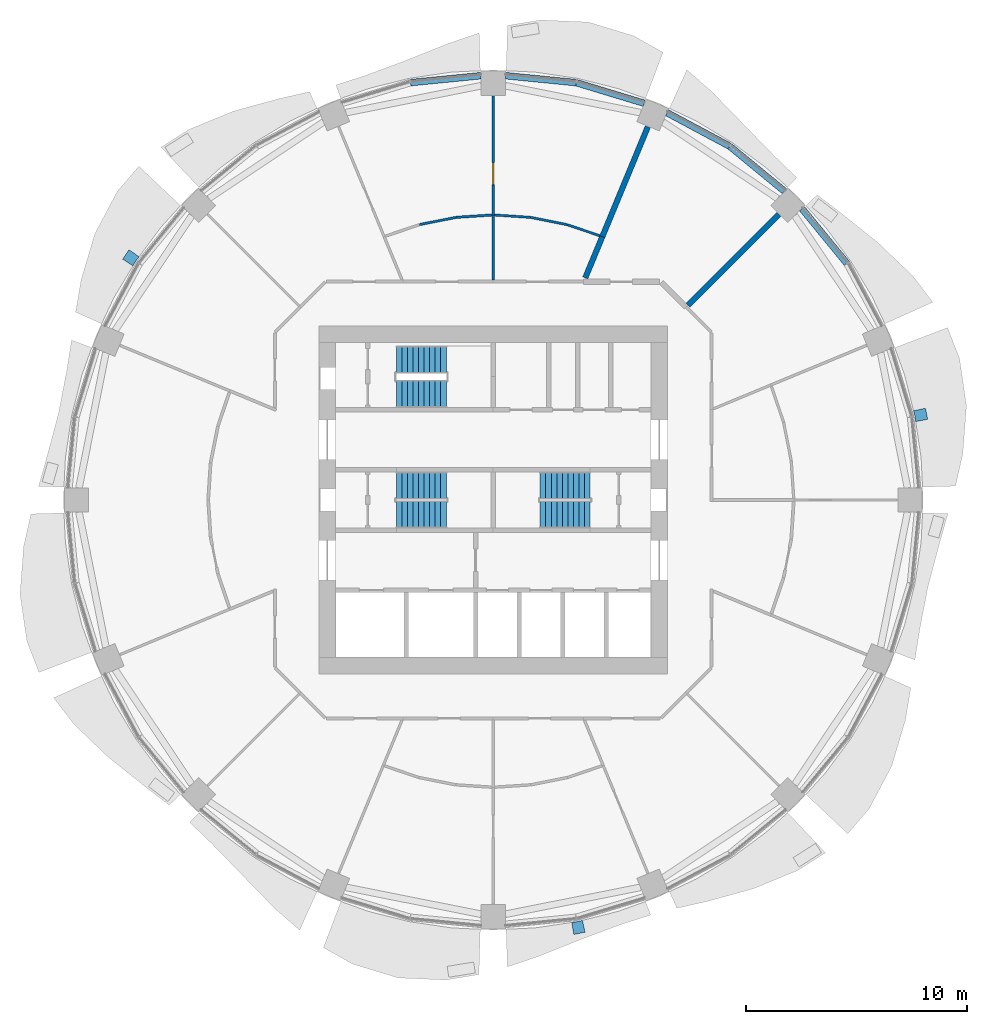
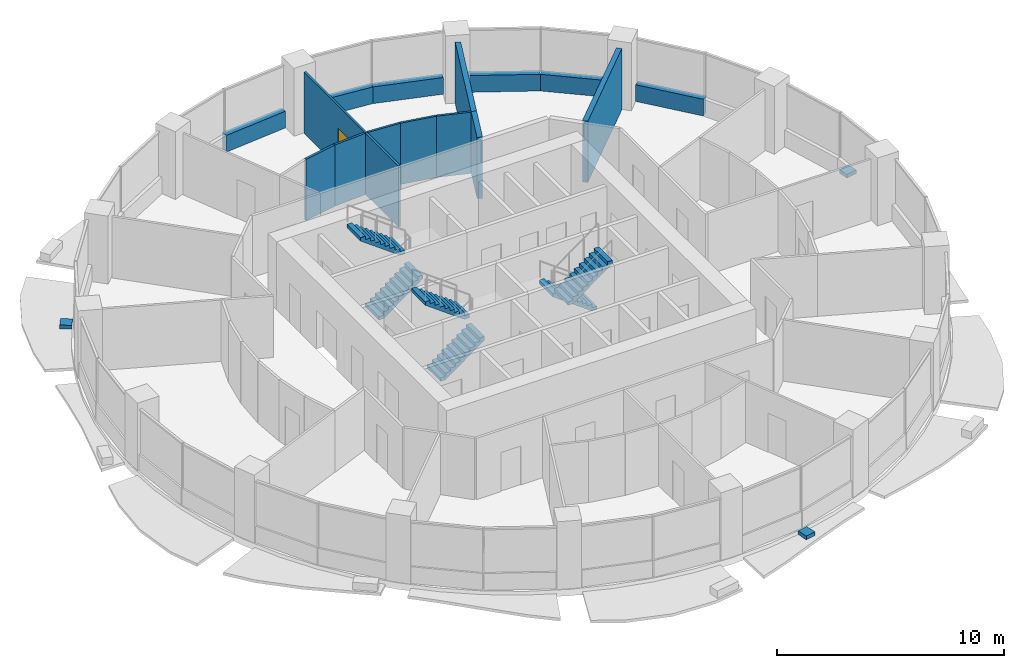
# One storey, part 11 of 15: 16 walls, 6 stair flights, 3 discrete accessories, 1 door, 1 opening, 3 elements without a shape of their own.
"""IFC4 building model written with IfcOpenShell, lengths in metres."""

from ifc_helpers import new_model, si_unit, direction, frame, frame_2d, origin, place, context, subcontext, project, spatial, polyline, rectangle, outline, extrude, material, layer, layer_set, type_object, element, fill, aggregate, save


model = new_model("IFC4")

# Units and contexts
model_context = context("Model", 3, precision=1e-05, world=origin(), true_north=direction((0.0, 1.0)))
body_context = subcontext(model_context, "Body", "Model", "MODEL_VIEW")
ifc_project = project(units=[si_unit("LENGTHUNIT", "METRE"), si_unit("AREAUNIT", "SQUARE_METRE"), si_unit("VOLUMEUNIT", "CUBIC_METRE"), si_unit("PLANEANGLEUNIT", "RADIAN"), si_unit("MASSUNIT", "GRAM", prefix="KILO")], contexts=[model_context])

# Site, building, storey
site_placement = place(None, origin())
site = spatial("IfcSite", under=ifc_project, at=site_placement, CompositionType="ELEMENT")
building_placement = place(site_placement, origin())
building = spatial("IfcBuilding", under=site, at=building_placement, Name="Polderwave Tower", CompositionType="ELEMENT")
storey_placement = place(building_placement, frame((0.0, 0.0, 80.050048828125)))
storey = spatial("IfcBuildingStorey", under=building, at=storey_placement, Name="L20", CompositionType="ELEMENT", Elevation=80.050048828125)

# Walls
ifc_material_1 = material(Name="Concrete C50/60 (board-marked)", Category="concrete")
ifc_layer_1 = layer(ifc_material_1, 0.300048828125)
ifc_layer_set_1 = layer_set([ifc_layer_1], Name="Concrete spandrel upstand C50/60")
wall_type_1 = type_object("IfcWallType", Name="Concrete spandrel upstand C50/60", PredefinedType="SOLIDWALL", material=ifc_layer_set_1)
for number, where, z_axis, x_axis, name in (
    (1, (15.987548828125, 10.70068359375, 0.0), (0.0, 0.0, 1.0), (-0.63411253447, 0.773240773387, 0.0), "Spandrel L20 2b"),
    (2, (13.16748046875, 13.964599609375, 0.0), (0.0, 0.0, 1.0), (-0.773240773387, 0.63411253447, 0.0), "Spandrel L20 3a"),
    (3, (10.67578125, 16.004150390625, 0.0), (0.0, 0.0, 1.0), (-0.8819437364, 0.471354692163, 0.0), "Spandrel L20 3b"),
):
    element("IfcWall", number, at=place(storey_placement, frame(where, z_axis=z_axis, x_axis=x_axis)), inside=storey, type_object=wall_type_1, Name=name, PredefinedType="SOLIDWALL", context=body_context, shape_type="SweptSolid", body=[
        extrude(rectangle(XDim=3.190185546875, YDim=0.300048828125, at=frame_2d((1.59521484375, 0.0))), origin(), (0.0, 0.0, 1.0), 0.89990234375),
    ])
wall_1_placement = place(storey_placement, frame((6.820556640625, 17.939453125, 0.0), z_axis=(0.0, 0.0, 1.0), x_axis=(-0.956954228099, 0.290238876314, 0.0)))
element("IfcWall", 4, at=wall_1_placement, inside=storey, type_object=wall_type_1, Name="Spandrel L20 4a", PredefinedType="SOLIDWALL", context=body_context, shape_type="SweptSolid", body=[
    extrude(rectangle(XDim=3.190673828125, YDim=0.300048828125, at=frame_2d((1.59521484375, 0.0))), origin(), (0.0, 0.0, 1.0), 0.89990234375),
])
for number, where, z_axis, x_axis, name in (
    (5, (3.738037109375, 18.87158203125, 0.0), (0.0, 0.0, 1.0), (-0.995173420989, 0.098131861065, 0.0), "Spandrel L20 4b"),
    (6, (-0.56396484375, 19.1845703125, 0.0), (0.0, 0.0, 1.0), (-0.995173420989, -0.098131861065, 0.0), "Spandrel L20 5a"),
):
    element("IfcWall", number, at=place(storey_placement, frame(where, z_axis=z_axis, x_axis=x_axis)), inside=storey, type_object=wall_type_1, Name=name, PredefinedType="SOLIDWALL", context=body_context, shape_type="SweptSolid", body=[
        extrude(rectangle(XDim=3.189453125, YDim=0.300048828125, at=frame_2d((1.5947265625, 0.0))), origin(), (0.0, 0.0, 1.0), 0.89990234375),
    ])

# Wall, opening, door
ifc_material_2 = material(Name="Plasterboard on steel studs", Category="steel")
ifc_layer_2 = layer(ifc_material_2, 0.10009765625)
ifc_layer_set_2 = layer_set([ifc_layer_2], Name="Partition 100 mm plasterboard on steel studs")
wall_type_2 = type_object("IfcWallType", Name="Partition 100 mm plasterboard on steel studs", PredefinedType="PARTITIONING", material=ifc_layer_set_2)
wall_2_placement = place(storey_placement, frame((0.0, 18.260009765625, 0.0), z_axis=(0.0, 0.0, 1.0), x_axis=(0.0, -1.0, 0.0)))
wall_2 = element("IfcWall", 7, at=wall_2_placement, inside=storey, type_object=wall_type_2, Name="IN-L20-W036", PredefinedType="PARTITIONING", context=body_context, shape_type="SweptSolid", body=[
    extrude(rectangle(XDim=5.3701171875, YDim=0.10009765625, at=frame_2d((2.68505859375, 0.0))), origin(), (0.0, 0.0, 1.0), 3.300048828125),
])
opening_placement = place(wall_2_placement, frame((3.0, 0.0, 0.0)))
opening = element("IfcOpeningElement", 8, at=opening_placement, cuts=wall_2, Name="Opening L20-D64", PredefinedType="OPENING", context=body_context, shape_type="SweptSolid", body=[
    extrude(rectangle(XDim=1.0, YDim=2.10009765625, at=frame_2d((0.5, 1.050048828125))), frame((0.0, 0.06005859375, 0.0), z_axis=(0.0, -1.0, 0.0), x_axis=(1.0, 0.0, 0.0)), (0.0, 0.0, 1.0), 0.1201171875),
])
ifc_material_3 = material(Name="Timber veneer door leaf", Category="wood")
door_type = type_object("IfcDoorType", Name="Single door 1000 x 2100", OperationType="NOTDEFINED", PredefinedType="DOOR", material=ifc_material_3)
door_placement = place(opening_placement, origin())
door = element("IfcDoor", 9, at=door_placement, inside=storey, type_object=door_type, Name="Door L20-D64", OperationType="SINGLE_SWING_RIGHT", OverallHeight=2.10009765625, OverallWidth=1.0, PredefinedType="DOOR", context=body_context, shape_type="SweptSolid", body=[
    extrude(rectangle(XDim=1.0, YDim=2.10009765625, at=frame_2d((0.5, 1.050048828125))), frame((0.0, 0.02490234375, 0.0), z_axis=(0.0, -1.0, 0.0), x_axis=(1.0, 0.0, 0.0)), (0.0, 0.0, 1.0), 0.050048828125),
])
fill(opening, door)

# Walls
ifc_material_4 = material(Name="Moisture-resistant board on steel studs, tiled", Category="steel")
ifc_layer_3 = layer(ifc_material_4, 0.10498046875)
ifc_layer_set_3 = layer_set([ifc_layer_3], Name="Partition 105 mm wet room board and tile")
wall_type_3 = type_object("IfcWallType", Name="Partition 105 mm wet room board and tile", PredefinedType="PARTITIONING", material=ifc_layer_set_3)
wall_3_placement = place(storey_placement, frame((0.055908203125, 12.88623046875, 0.0), z_axis=(0.0, 0.0, 1.0), x_axis=(0.99785694905, -0.065433242561, 0.0)))
element("IfcWall", 10, at=wall_3_placement, inside=storey, type_object=wall_type_3, Name="IN-L20-W032", PredefinedType="PARTITIONING", context=body_context, shape_type="SweptSolid", body=[
    extrude(rectangle(XDim=1.626708984375, YDim=0.10498046875, at=frame_2d((0.8134765625, 0.0))), origin(), (0.0, 0.0, 1.0), 3.300048828125),
])
wall_4_placement = place(storey_placement, frame((1.685791015625, 12.779052734375, 0.0), z_axis=(0.0, 0.0, 1.0), x_axis=(0.980781464345, -0.195109505655, 0.0)))
element("IfcWall", 11, at=wall_4_placement, inside=storey, type_object=wall_type_3, Name="IN-L20-W033", PredefinedType="PARTITIONING", context=body_context, shape_type="SweptSolid", body=[
    extrude(rectangle(XDim=1.67919921875, YDim=0.10498046875, at=frame_2d((0.839599609375, 0.0))), origin(), (0.0, 0.0, 1.0), 3.300048828125),
])
wall_5_placement = place(storey_placement, frame((3.339599609375, 12.44970703125, 0.0), z_axis=(0.0, 0.0, 1.0), x_axis=(0.946908669333, -0.321502677971, 0.0)))
element("IfcWall", 12, at=wall_5_placement, inside=storey, type_object=wall_type_3, Name="IN-L20-W034", PredefinedType="PARTITIONING", context=body_context, shape_type="SweptSolid", body=[
    extrude(rectangle(XDim=1.5537109375, YDim=0.10498046875, at=frame_2d((0.77685546875, 0.0))), origin(), (0.0, 0.0, 1.0), 3.300048828125),
])
wall_6_placement = place(storey_placement, frame((0.0, 9.9365234375, 0.0), z_axis=(0.0, 0.0, 1.0), x_axis=(0.0, 1.0, 0.0)))
element("IfcWall", 13, at=wall_6_placement, inside=storey, type_object=wall_type_3, Name="IN-L20-W035", PredefinedType="PARTITIONING", context=body_context, shape_type="SweptSolid", body=[
    extrude(rectangle(XDim=2.953369140625, YDim=0.10498046875, at=frame_2d((1.4765625, 0.0))), origin(), (0.0, 0.0, 1.0), 3.300048828125),
])
ifc_material_5 = material(Name="Acoustic double plasterboard on steel studs", Category="steel")
ifc_layer_4 = layer(ifc_material_5, 0.110107421875)
ifc_layer_set_4 = layer_set([ifc_layer_4], Name="Partition 110 mm acoustic double board")
wall_type_4 = type_object("IfcWallType", Name="Partition 110 mm acoustic double board", PredefinedType="PARTITIONING", material=ifc_layer_set_4)
wall_7_placement = place(storey_placement, frame((-3.332763671875, 12.451416015625, 0.0), z_axis=(0.0, 0.0, 1.0), x_axis=(0.980775928605, 0.195137330791, 0.0)))
element("IfcWall", 14, at=wall_7_placement, inside=storey, type_object=wall_type_4, Name="IN-L20-W038", PredefinedType="PARTITIONING", context=body_context, shape_type="SweptSolid", body=[
    extrude(rectangle(XDim=1.678955078125, YDim=0.110107421875, at=frame_2d((0.83935546875, 0.0))), origin(), (0.0, 0.0, 1.0), 3.300048828125),
])
wall_8_placement = place(storey_placement, frame((-1.678955078125, 12.77978515625, 0.0), z_axis=(0.0, 0.0, 1.0), x_axis=(0.997855663367, 0.065452846281, 0.0)))
element("IfcWall", 15, at=wall_8_placement, inside=storey, type_object=wall_type_4, Name="IN-L20-W039", PredefinedType="PARTITIONING", context=body_context, shape_type="SweptSolid", body=[
    extrude(rectangle(XDim=1.626220703125, YDim=0.110107421875, at=frame_2d((0.81298828125, 0.0))), origin(), (0.0, 0.0, 1.0), 3.300048828125),
])
ifc_material_6 = material(Name="Fire-resisting board on steel studs, mineral wool", Category="steel")
ifc_layer_5 = layer(ifc_material_6, 0.25)
ifc_layer_set_5 = layer_set([ifc_layer_5], Name="Plant room wall 250 mm EI 120")
wall_type_5 = type_object("IfcWallType", Name="Plant room wall 250 mm EI 120", PredefinedType="PARTITIONING", material=ifc_layer_set_5)
wall_9_placement = place(storey_placement, frame((12.911865234375, 12.911865234375, 0.0), z_axis=(0.0, 0.0, 1.0), x_axis=(-0.707106781187, -0.707106781187, 0.0)))
element("IfcWall", 16, at=wall_9_placement, inside=storey, type_object=wall_type_5, Name="IN-L20-W029", PredefinedType="PARTITIONING", context=body_context, shape_type="SweptSolid", body=[
    extrude(rectangle(XDim=5.7998046875, YDim=0.25, at=frame_2d((2.89990234375, 0.0))), origin(), (0.0, 0.0, 1.0), 3.300048828125),
])
wall_10_placement = place(storey_placement, frame((4.16162109375, 10.046875, 0.0), z_axis=(0.0, 0.0, 1.0), x_axis=(0.382704875876, 0.923870650027, 0.0)))
element("IfcWall", 17, at=wall_10_placement, inside=storey, type_object=wall_type_5, Name="IN-L20-W030", PredefinedType="PARTITIONING", context=body_context, shape_type="SweptSolid", body=[
    extrude(rectangle(XDim=2.01513671875, YDim=0.25, at=frame_2d((1.007568359375, 0.0))), origin(), (0.0, 0.0, 1.0), 3.300048828125),
])
wall_11_placement = place(storey_placement, frame((4.932861328125, 11.90869140625, 0.0), z_axis=(0.0, 0.0, 1.0), x_axis=(0.382658286204, 0.923889947991, 0.0)))
element("IfcWall", 18, at=wall_11_placement, inside=storey, type_object=wall_type_5, Name="IN-L20-W031", PredefinedType="PARTITIONING", context=body_context, shape_type="SweptSolid", body=[
    extrude(rectangle(XDim=5.3701171875, YDim=0.25, at=frame_2d((2.68505859375, 0.0))), origin(), (0.0, 0.0, 1.0), 3.300048828125),
])

# Stair, stair flights
ifc_material_7 = material(Name="Concrete C40/50", Category="concrete")
stair_type = type_object("IfcStairType", Name="Exit stair 1200 x 20 risers", PredefinedType="HALF_TURN_STAIR", material=ifc_material_7)
stair_1_placement = place(storey_placement, origin())
stair_1 = element("IfcStair", 19, at=stair_1_placement, inside=storey, type_object=stair_type, Name="L20 Exit stair A", PredefinedType="HALF_TURN_STAIR")
stair_flight_type = type_object("IfcStairFlightType", Name="Stair flight 1200", PredefinedType="STRAIGHT", material=ifc_material_7)
stair_flight_1_placement = place(storey_placement, frame((-4.3740234375, -0.675048828125, 0.0), z_axis=(0.0, 0.0, 1.0), x_axis=(1.0, 0.0, 0.0)))
stair_flight_1 = element("IfcStairFlight", 20, at=stair_flight_1_placement, type_object=stair_flight_type, Name="ST-A flight 1", NumberOfRisers=10, NumberOfTreads=9, PredefinedType="STRAIGHT", RiserHeight=0.1825, TreadLength=0.25, context=body_context, shape_type="SweptSolid", body=[
    extrude(outline(polyline([(0.0, 0.0), (0.0, 0.1826171875), (0.25, 0.1826171875), (0.25, 0.364990234375), (0.5, 0.364990234375), (0.5, 0.547607421875), (0.75, 0.547607421875), (0.75, 0.72998046875), (1.0, 0.72998046875), (1.0, 0.91259765625), (1.25, 0.91259765625), (1.25, 1.094970703125), (1.5, 1.094970703125), (1.5, 1.277587890625), (1.75, 1.277587890625), (1.75, 1.4599609375), (2.0, 1.4599609375), (2.0, 1.642578125), (2.25, 1.642578125), (2.25, 1.824951171875), (2.25, 1.456787109375), (0.254150390625, 0.0), (0.0, 0.0)])), frame((0.0, 0.60009765625, 0.0), z_axis=(0.0, -1.0, 0.0), x_axis=(1.0, 0.0, 0.0)), (0.0, 0.0, 1.0), 1.199951171875),
])
stair_flight_2_placement = place(storey_placement, frame((-2.1240234375, 0.675048828125, 1.824951171875), z_axis=(0.0, 0.0, 1.0), x_axis=(-1.0, 0.0, 0.0)))
stair_flight_2 = element("IfcStairFlight", 21, at=stair_flight_2_placement, type_object=stair_flight_type, Name="ST-A flight 2", NumberOfRisers=10, NumberOfTreads=9, PredefinedType="STRAIGHT", RiserHeight=0.1825, TreadLength=0.25, context=body_context, shape_type="SweptSolid", body=[
    extrude(outline(polyline([(0.0, 0.0), (0.0, 0.1826171875), (0.25, 0.1826171875), (0.25, 0.364990234375), (0.5, 0.364990234375), (0.5, 0.547607421875), (0.75, 0.547607421875), (0.75, 0.72998046875), (1.0, 0.72998046875), (1.0, 0.91259765625), (1.25, 0.91259765625), (1.25, 1.094970703125), (1.5, 1.094970703125), (1.5, 1.277587890625), (1.75, 1.277587890625), (1.75, 1.4599609375), (2.0, 1.4599609375), (2.0, 1.642578125), (2.25, 1.642578125), (2.25, 1.824951171875), (2.25, 1.456787109375), (0.254150390625, 0.0), (0.0, 0.0)])), frame((0.0, 0.60009765625, 0.0), z_axis=(0.0, -1.0, 0.0), x_axis=(1.0, 0.0, 0.0)), (0.0, 0.0, 1.0), 1.199951171875),
])
aggregate(stair_1, [stair_flight_1, stair_flight_2])

stair_2_placement = place(storey_placement, origin())
stair_2 = element("IfcStair", 22, at=stair_2_placement, inside=storey, type_object=stair_type, Name="L20 Exit stair B", PredefinedType="HALF_TURN_STAIR")
stair_flight_3_placement = place(storey_placement, frame((4.3740234375, 0.675048828125, 0.0), z_axis=(0.0, 0.0, 1.0), x_axis=(-1.0, 0.0, 0.0)))
stair_flight_3 = element("IfcStairFlight", 23, at=stair_flight_3_placement, type_object=stair_flight_type, Name="ST-B flight 1", NumberOfRisers=10, NumberOfTreads=9, PredefinedType="STRAIGHT", RiserHeight=0.1825, TreadLength=0.25, context=body_context, shape_type="SweptSolid", body=[
    extrude(outline(polyline([(0.0, 0.0), (0.0, 0.1826171875), (0.25, 0.1826171875), (0.25, 0.364990234375), (0.5, 0.364990234375), (0.5, 0.547607421875), (0.75, 0.547607421875), (0.75, 0.72998046875), (1.0, 0.72998046875), (1.0, 0.91259765625), (1.25, 0.91259765625), (1.25, 1.094970703125), (1.5, 1.094970703125), (1.5, 1.277587890625), (1.75, 1.277587890625), (1.75, 1.4599609375), (2.0, 1.4599609375), (2.0, 1.642578125), (2.25, 1.642578125), (2.25, 1.824951171875), (2.25, 1.456787109375), (0.254150390625, 0.0), (0.0, 0.0)])), frame((0.0, 0.60009765625, 0.0), z_axis=(0.0, -1.0, 0.0), x_axis=(1.0, 0.0, 0.0)), (0.0, 0.0, 1.0), 1.199951171875),
])
stair_flight_4_placement = place(storey_placement, frame((2.1240234375, -0.675048828125, 1.824951171875), z_axis=(0.0, 0.0, 1.0), x_axis=(1.0, 0.0, 0.0)))
stair_flight_4 = element("IfcStairFlight", 24, at=stair_flight_4_placement, type_object=stair_flight_type, Name="ST-B flight 2", NumberOfRisers=10, NumberOfTreads=9, PredefinedType="STRAIGHT", RiserHeight=0.1825, TreadLength=0.25, context=body_context, shape_type="SweptSolid", body=[
    extrude(outline(polyline([(0.0, 0.0), (0.0, 0.1826171875), (0.25, 0.1826171875), (0.25, 0.364990234375), (0.5, 0.364990234375), (0.5, 0.547607421875), (0.75, 0.547607421875), (0.75, 0.72998046875), (1.0, 0.72998046875), (1.0, 0.91259765625), (1.25, 0.91259765625), (1.25, 1.094970703125), (1.5, 1.094970703125), (1.5, 1.277587890625), (1.75, 1.277587890625), (1.75, 1.4599609375), (2.0, 1.4599609375), (2.0, 1.642578125), (2.25, 1.642578125), (2.25, 1.824951171875), (2.25, 1.456787109375), (0.254150390625, 0.0), (0.0, 0.0)])), frame((0.0, 0.60009765625, 0.0), z_axis=(0.0, -1.0, 0.0), x_axis=(1.0, 0.0, 0.0)), (0.0, 0.0, 1.0), 1.199951171875),
])
aggregate(stair_2, [stair_flight_3, stair_flight_4])

stair_3_placement = place(storey_placement, origin())
stair_3 = element("IfcStair", 25, at=stair_3_placement, inside=storey, type_object=stair_type, Name="L20 Exit stair C", PredefinedType="HALF_TURN_STAIR")
stair_flight_5_placement = place(storey_placement, frame((-4.3740234375, 4.77392578125, 0.0), z_axis=(0.0, 0.0, 1.0), x_axis=(1.0, 0.0, 0.0)))
stair_flight_5 = element("IfcStairFlight", 26, at=stair_flight_5_placement, type_object=stair_flight_type, Name="ST-C flight 1", NumberOfRisers=10, NumberOfTreads=9, PredefinedType="STRAIGHT", RiserHeight=0.1825, TreadLength=0.25, context=body_context, shape_type="SweptSolid", body=[
    extrude(outline(polyline([(0.0, 0.0), (0.0, 0.1826171875), (0.25, 0.1826171875), (0.25, 0.364990234375), (0.5, 0.364990234375), (0.5, 0.547607421875), (0.75, 0.547607421875), (0.75, 0.72998046875), (1.0, 0.72998046875), (1.0, 0.91259765625), (1.25, 0.91259765625), (1.25, 1.094970703125), (1.5, 1.094970703125), (1.5, 1.277587890625), (1.75, 1.277587890625), (1.75, 1.4599609375), (2.0, 1.4599609375), (2.0, 1.642578125), (2.25, 1.642578125), (2.25, 1.824951171875), (2.25, 1.456787109375), (0.254150390625, 0.0), (0.0, 0.0)])), frame((0.0, 0.60009765625, 0.0), z_axis=(0.0, -1.0, 0.0), x_axis=(1.0, 0.0, 0.0)), (0.0, 0.0, 1.0), 1.199951171875),
])
stair_flight_6_placement = place(storey_placement, frame((-2.1240234375, 6.3740234375, 1.824951171875), z_axis=(0.0, 0.0, 1.0), x_axis=(-1.0, 0.0, 0.0)))
stair_flight_6 = element("IfcStairFlight", 27, at=stair_flight_6_placement, type_object=stair_flight_type, Name="ST-C flight 2", NumberOfRisers=10, NumberOfTreads=9, PredefinedType="STRAIGHT", RiserHeight=0.1825, TreadLength=0.25, context=body_context, shape_type="SweptSolid", body=[
    extrude(outline(polyline([(0.0, 0.0), (0.0, 0.1826171875), (0.25, 0.1826171875), (0.25, 0.364990234375), (0.5, 0.364990234375), (0.5, 0.547607421875), (0.75, 0.547607421875), (0.75, 0.72998046875), (1.0, 0.72998046875), (1.0, 0.91259765625), (1.25, 0.91259765625), (1.25, 1.094970703125), (1.5, 1.094970703125), (1.5, 1.277587890625), (1.75, 1.277587890625), (1.75, 1.4599609375), (2.0, 1.4599609375), (2.0, 1.642578125), (2.25, 1.642578125), (2.25, 1.824951171875), (2.25, 1.456787109375), (0.254150390625, 0.0), (0.0, 0.0)])), frame((0.0, 0.60009765625, 0.0), z_axis=(0.0, -1.0, 0.0), x_axis=(1.0, 0.0, 0.0)), (0.0, 0.0, 1.0), 1.199951171875),
])
aggregate(stair_3, [stair_flight_5, stair_flight_6])

# Discrete accessories
ifc_material_8 = material(Name="Steel S355", Category="steel")
discrete_accessory_type = type_object("IfcDiscreteAccessoryType", Name="Band bracket pad", PredefinedType="BRACKET", material=ifc_material_8)
discrete_accessory_1_placement = place(storey_placement, frame((0.0, 0.0, -0.199951171875)))
element("IfcDiscreteAccessory", 28, at=discrete_accessory_1_placement, inside=storey, type_object=discrete_accessory_type, Name="Band bracket L20 1", PredefinedType="BRACKET", context=body_context, shape_type="SweptSolid", body=[
    extrude(outline(polyline([(19.10302734375, 3.54541015625), (19.06640625, 3.79248046875), (19.005615234375, 4.03515625), (19.543701171875, 4.1494140625), (19.643798828125, 3.6455078125), (19.10302734375, 3.54541015625)])), origin(), (0.0, 0.0, 1.0), 0.199951171875),
])
discrete_accessory_2_placement = place(storey_placement, frame((0.0, 0.0, -0.199951171875)))
element("IfcDiscreteAccessory", 29, at=discrete_accessory_2_placement, inside=storey, type_object=discrete_accessory_type, Name="Band bracket L20 7", PredefinedType="BRACKET", context=body_context, shape_type="SweptSolid", body=[
    extrude(outline(polyline([(-16.014892578125, 11.001220703125), (-16.163818359375, 10.80029296875), (-16.292236328125, 10.5859375), (-16.75341796875, 10.885498046875), (-16.46826171875, 11.3125), (-16.014892578125, 11.001220703125)])), origin(), (0.0, 0.0, 1.0), 0.199951171875),
])
discrete_accessory_3_placement = place(storey_placement, frame((0.0, 0.0, -0.199951171875)))
element("IfcDiscreteAccessory", 30, at=discrete_accessory_3_placement, inside=storey, type_object=discrete_accessory_type, Name="Band bracket L20 13", PredefinedType="BRACKET", context=body_context, shape_type="SweptSolid", body=[
    extrude(outline(polyline([(3.54541015625, -19.10302734375), (3.79248046875, -19.06640625), (4.03515625, -19.005615234375), (4.1494140625, -19.543701171875), (3.6455078125, -19.643798828125), (3.54541015625, -19.10302734375)])), origin(), (0.0, 0.0, 1.0), 0.199951171875),
])

save(model, "model.ifc")
